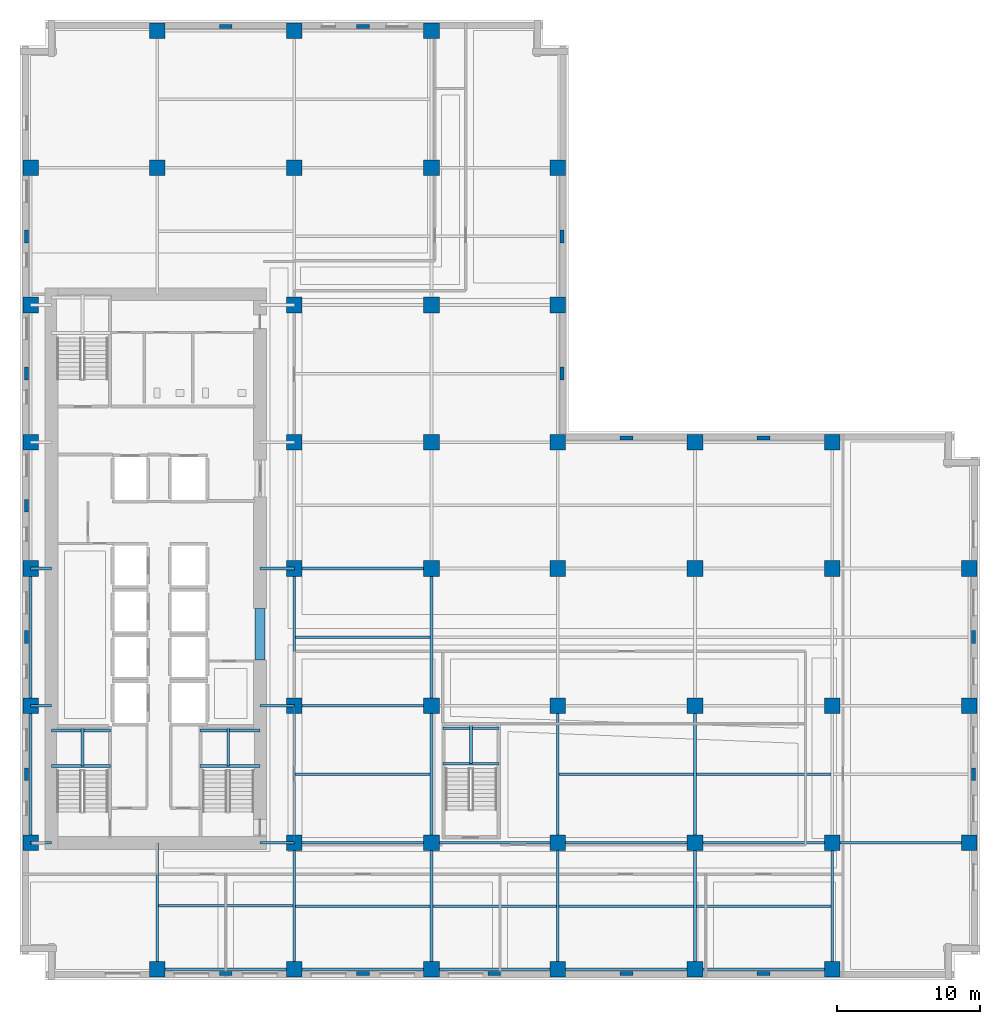
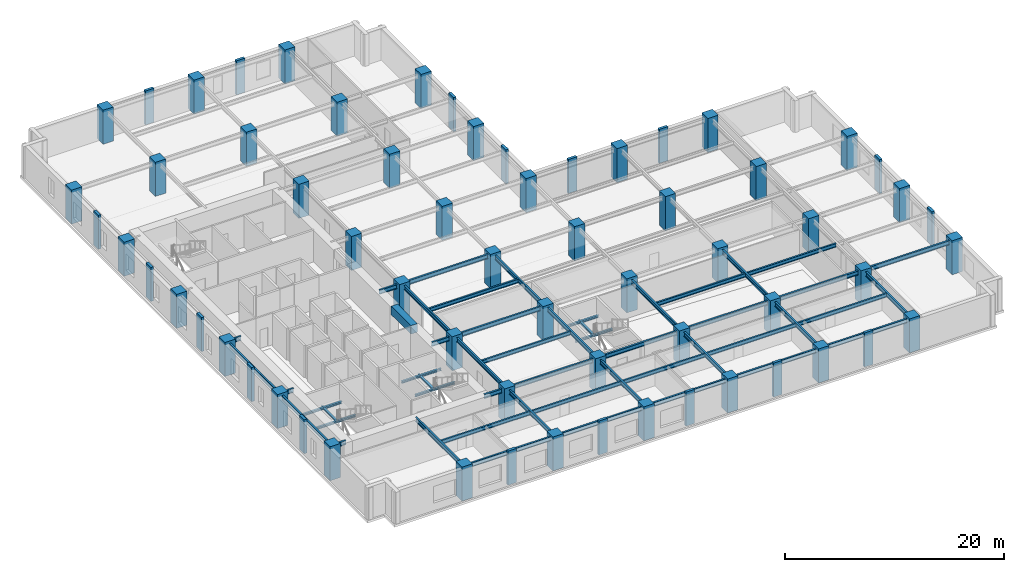
# One storey, part 1 of 13: 63 columns, 51 beams.
"""IFC4 building model written with IfcOpenShell, lengths in metres."""

from ifc_helpers import new_model, si_unit, direction, frame, origin, origin_2d, place, context, subcontext, project, spatial, rectangle, i_section, extrude, material, material_profile, profile_set, type_object, element, save


model = new_model("IFC4")

# Units and contexts
model_context = context("Model", 3, precision=1e-05, world=origin(), true_north=direction((0.0, 1.0)))
body_context = subcontext(model_context, "Body", "Model", "MODEL_VIEW")
ifc_project = project(units=[si_unit("LENGTHUNIT", "METRE"), si_unit("AREAUNIT", "SQUARE_METRE"), si_unit("VOLUMEUNIT", "CUBIC_METRE"), si_unit("PLANEANGLEUNIT", "RADIAN"), si_unit("MASSUNIT", "GRAM", prefix="KILO")], contexts=[model_context])

# Site, building, storey
site_placement = place(None, origin())
site = spatial("IfcSite", under=ifc_project, at=site_placement, CompositionType="ELEMENT")
building_placement = place(site_placement, origin())
building = spatial("IfcBuilding", under=site, at=building_placement, Name="Norrvale University Quadrangle", CompositionType="ELEMENT")
storey_placement = place(building_placement, frame((0.0, 0.0, 81.199951171875)))
storey = spatial("IfcBuildingStorey", under=building, at=storey_placement, Name="L20", CompositionType="ELEMENT", Elevation=81.199951171875)

# Columns
ifc_material_1 = material(Name="Buff Brick Concrete C60/75", Category="concrete")
ifc_material_profile_1 = material_profile(ifc_material_1, rectangle(XDim=0.89990234375, YDim=0.280029296875, at=origin_2d()), Name="Buff Brick Concrete C60/75")
ifc_profile_set_1 = profile_set([ifc_material_profile_1], Name="Buff Brick Concrete C60/75")
column_type_1 = type_object("IfcColumnType", Name="Column Buff Pier 900x280", PredefinedType="PILASTER", material=ifc_profile_set_1)
for number, where, z_axis, x_axis, name in (
    (1, (0.449951171875, 14.39990234375, 0.0), (0.0, 0.0, 1.0), (0.0, 1.0, 0.0), "Exterior Brick Facade Pilaster L20-01"),
    (2, (0.449951171875, 24.0, 0.0), (0.0, 0.0, 1.0), (0.0, 1.0, 0.0), "Exterior Brick Facade Pilaster L20-02"),
    (3, (0.449951171875, 33.199951171875, 0.0), (0.0, 0.0, 1.0), (0.0, 1.0, 0.0), "Exterior Brick Facade Pilaster L20-03"),
    (4, (0.449951171875, 42.449951171875, 0.0), (0.0, 0.0, 1.0), (0.0, 1.0, 0.0), "Exterior Brick Facade Pilaster L20-04"),
    (5, (0.449951171875, 52.050048828125, 0.0), (0.0, 0.0, 1.0), (0.0, 1.0, 0.0), "Exterior Brick Facade Pilaster L20-05"),
    (6, (14.39990234375, 0.449951171875, 0.0), (0.0, 0.0, 1.0), (1.0, 0.0, 0.0), "Exterior Brick Facade Pilaster L20-06"),
    (7, (24.0, 0.449951171875, 0.0), (0.0, 0.0, 1.0), (1.0, 0.0, 0.0), "Exterior Brick Facade Pilaster L20-07"),
    (8, (33.199951171875, 0.449951171875, 0.0), (0.0, 0.0, 1.0), (1.0, 0.0, 0.0), "Exterior Brick Facade Pilaster L20-08"),
    (9, (42.449951171875, 0.449951171875, 0.0), (0.0, 0.0, 1.0), (1.0, 0.0, 0.0), "Exterior Brick Facade Pilaster L20-09"),
    (10, (52.050048828125, 0.449951171875, 0.0), (0.0, 0.0, 1.0), (1.0, 0.0, 0.0), "Exterior Brick Facade Pilaster L20-10"),
    (11, (66.75, 14.39990234375, 0.0), (0.0, 0.0, 1.0), (0.0, 1.0, 0.0), "Exterior Brick Facade Pilaster L20-11"),
    (12, (66.75, 24.0, 0.0), (0.0, 0.0, 1.0), (0.0, 1.0, 0.0), "Exterior Brick Facade Pilaster L20-12"),
    (13, (14.39990234375, 66.75, 0.0), (0.0, 0.0, 1.0), (1.0, 0.0, 0.0), "Exterior Brick Facade Pilaster L20-13"),
    (14, (24.0, 66.75, 0.0), (0.0, 0.0, 1.0), (1.0, 0.0, 0.0), "Exterior Brick Facade Pilaster L20-14"),
    (15, (37.949951171875, 42.449951171875, 0.0), (0.0, 0.0, 1.0), (0.0, 1.0, 0.0), "Exterior Brick Facade Pilaster L20-15"),
    (16, (37.949951171875, 52.050048828125, 0.0), (0.0, 0.0, 1.0), (0.0, 1.0, 0.0), "Exterior Brick Facade Pilaster L20-16"),
    (17, (42.449951171875, 37.949951171875, 0.0), (0.0, 0.0, 1.0), (1.0, 0.0, 0.0), "Exterior Brick Facade Pilaster L20-17"),
    (18, (52.050048828125, 37.949951171875, 0.0), (0.0, 0.0, 1.0), (1.0, 0.0, 0.0), "Exterior Brick Facade Pilaster L20-18"),
):
    element("IfcColumn", number, at=place(storey_placement, frame(where, z_axis=z_axis, x_axis=x_axis)), inside=storey, type_object=column_type_1, Name=name, PredefinedType="PILASTER", context=body_context, shape_type="SweptSolid", body=[
        extrude(rectangle(XDim=0.89990234375, YDim=0.280029296875, at=origin_2d()), origin(), (0.0, 0.0, 1.0), 3.800048828125),
    ])
ifc_material_2 = material(Name="Concrete C80/95", Category="concrete")
ifc_material_profile_2 = material_profile(ifc_material_2, rectangle(XDim=1.10009765625, YDim=1.10009765625, at=origin_2d()), Name="Concrete C80/95")
ifc_profile_set_2 = profile_set([ifc_material_profile_2], Name="Concrete C80/95")
column_type_2 = type_object("IfcColumnType", Name="Column Tower Z1 1100x1100", PredefinedType="COLUMN", material=ifc_profile_set_2)
for number, where, z_axis, x_axis, name in (
    (19, (0.75, 9.60009765625, 0.0), (0.0, 0.0, 1.0), (1.0, 0.0, 0.0), "Tower Column L20-T01"),
    (20, (0.75, 19.199951171875, 0.0), (0.0, 0.0, 1.0), (1.0, 0.0, 0.0), "Tower Column L20-T02"),
    (21, (0.75, 28.800048828125, 0.0), (0.0, 0.0, 1.0), (1.0, 0.0, 0.0), "Tower Column L20-T03"),
    (22, (0.75, 37.64990234375, 0.0), (0.0, 0.0, 1.0), (1.0, 0.0, 0.0), "Tower Column L20-T04"),
    (23, (0.75, 47.25, 0.0), (0.0, 0.0, 1.0), (1.0, 0.0, 0.0), "Tower Column L20-T05"),
    (24, (0.75, 56.85009765625, 0.0), (0.0, 0.0, 1.0), (1.0, 0.0, 0.0), "Tower Column L20-T06"),
    (25, (9.60009765625, 0.75, 0.0), (0.0, 0.0, 1.0), (1.0, 0.0, 0.0), "Tower Column L20-T07"),
    (26, (9.60009765625, 56.85009765625, 0.0), (0.0, 0.0, 1.0), (1.0, 0.0, 0.0), "Tower Column L20-T08"),
    (27, (9.60009765625, 66.449951171875, 0.0), (0.0, 0.0, 1.0), (1.0, 0.0, 0.0), "Tower Column L20-T09"),
    (28, (19.199951171875, 0.75, 0.0), (0.0, 0.0, 1.0), (1.0, 0.0, 0.0), "Tower Column L20-T10"),
    (29, (19.199951171875, 9.60009765625, 0.0), (0.0, 0.0, 1.0), (1.0, 0.0, 0.0), "Tower Column L20-T11"),
    (30, (19.199951171875, 19.199951171875, 0.0), (0.0, 0.0, 1.0), (1.0, 0.0, 0.0), "Tower Column L20-T12"),
    (31, (19.199951171875, 28.800048828125, 0.0), (0.0, 0.0, 1.0), (1.0, 0.0, 0.0), "Tower Column L20-T13"),
    (32, (19.199951171875, 37.64990234375, 0.0), (0.0, 0.0, 1.0), (1.0, 0.0, 0.0), "Tower Column L20-T14"),
    (33, (19.199951171875, 47.25, 0.0), (0.0, 0.0, 1.0), (1.0, 0.0, 0.0), "Tower Column L20-T15"),
    (34, (19.199951171875, 56.85009765625, 0.0), (0.0, 0.0, 1.0), (1.0, 0.0, 0.0), "Tower Column L20-T16"),
    (35, (19.199951171875, 66.449951171875, 0.0), (0.0, 0.0, 1.0), (1.0, 0.0, 0.0), "Tower Column L20-T17"),
    (36, (28.800048828125, 0.75, 0.0), (0.0, 0.0, 1.0), (1.0, 0.0, 0.0), "Tower Column L20-T18"),
    (37, (28.800048828125, 9.60009765625, 0.0), (0.0, 0.0, 1.0), (1.0, 0.0, 0.0), "Tower Column L20-T19"),
    (38, (28.800048828125, 19.199951171875, 0.0), (0.0, 0.0, 1.0), (1.0, 0.0, 0.0), "Tower Column L20-T20"),
    (39, (28.800048828125, 28.800048828125, 0.0), (0.0, 0.0, 1.0), (1.0, 0.0, 0.0), "Tower Column L20-T21"),
    (40, (28.800048828125, 37.64990234375, 0.0), (0.0, 0.0, 1.0), (1.0, 0.0, 0.0), "Tower Column L20-T22"),
    (41, (28.800048828125, 47.25, 0.0), (0.0, 0.0, 1.0), (1.0, 0.0, 0.0), "Tower Column L20-T23"),
    (42, (28.800048828125, 56.85009765625, 0.0), (0.0, 0.0, 1.0), (1.0, 0.0, 0.0), "Tower Column L20-T24"),
    (43, (28.800048828125, 66.449951171875, 0.0), (0.0, 0.0, 1.0), (1.0, 0.0, 0.0), "Tower Column L20-T25"),
    (44, (37.64990234375, 0.75, 0.0), (0.0, 0.0, 1.0), (1.0, 0.0, 0.0), "Tower Column L20-T26"),
    (45, (37.64990234375, 9.60009765625, 0.0), (0.0, 0.0, 1.0), (1.0, 0.0, 0.0), "Tower Column L20-T27"),
    (46, (37.64990234375, 19.199951171875, 0.0), (0.0, 0.0, 1.0), (1.0, 0.0, 0.0), "Tower Column L20-T28"),
    (47, (37.64990234375, 28.800048828125, 0.0), (0.0, 0.0, 1.0), (1.0, 0.0, 0.0), "Tower Column L20-T29"),
    (48, (37.64990234375, 37.64990234375, 0.0), (0.0, 0.0, 1.0), (1.0, 0.0, 0.0), "Tower Column L20-T30"),
    (49, (37.64990234375, 47.25, 0.0), (0.0, 0.0, 1.0), (1.0, 0.0, 0.0), "Tower Column L20-T31"),
    (50, (37.64990234375, 56.85009765625, 0.0), (0.0, 0.0, 1.0), (1.0, 0.0, 0.0), "Tower Column L20-T32"),
    (51, (47.25, 0.75, 0.0), (0.0, 0.0, 1.0), (1.0, 0.0, 0.0), "Tower Column L20-T33"),
    (52, (47.25, 9.60009765625, 0.0), (0.0, 0.0, 1.0), (1.0, 0.0, 0.0), "Tower Column L20-T34"),
    (53, (47.25, 19.199951171875, 0.0), (0.0, 0.0, 1.0), (1.0, 0.0, 0.0), "Tower Column L20-T35"),
    (54, (47.25, 28.800048828125, 0.0), (0.0, 0.0, 1.0), (1.0, 0.0, 0.0), "Tower Column L20-T36"),
    (55, (47.25, 37.64990234375, 0.0), (0.0, 0.0, 1.0), (1.0, 0.0, 0.0), "Tower Column L20-T37"),
    (56, (56.85009765625, 0.75, 0.0), (0.0, 0.0, 1.0), (1.0, 0.0, 0.0), "Tower Column L20-T38"),
    (57, (56.85009765625, 9.60009765625, 0.0), (0.0, 0.0, 1.0), (1.0, 0.0, 0.0), "Tower Column L20-T39"),
    (58, (56.85009765625, 19.199951171875, 0.0), (0.0, 0.0, 1.0), (1.0, 0.0, 0.0), "Tower Column L20-T40"),
    (59, (56.85009765625, 28.800048828125, 0.0), (0.0, 0.0, 1.0), (1.0, 0.0, 0.0), "Tower Column L20-T41"),
    (60, (56.85009765625, 37.64990234375, 0.0), (0.0, 0.0, 1.0), (1.0, 0.0, 0.0), "Tower Column L20-T42"),
    (61, (66.449951171875, 9.60009765625, 0.0), (0.0, 0.0, 1.0), (1.0, 0.0, 0.0), "Tower Column L20-T43"),
    (62, (66.449951171875, 19.199951171875, 0.0), (0.0, 0.0, 1.0), (1.0, 0.0, 0.0), "Tower Column L20-T44"),
    (63, (66.449951171875, 28.800048828125, 0.0), (0.0, 0.0, 1.0), (1.0, 0.0, 0.0), "Tower Column L20-T45"),
):
    element("IfcColumn", number, at=place(storey_placement, frame(where, z_axis=z_axis, x_axis=x_axis)), inside=storey, type_object=column_type_2, Name=name, PredefinedType="COLUMN", context=body_context, shape_type="SweptSolid", body=[
        extrude(rectangle(XDim=1.10009765625, YDim=1.10009765625, at=origin_2d()), origin(), (0.0, 0.0, 1.0), 3.800048828125),
    ])

# Beams
ifc_material_3 = material(Name="Steel 350W", Category="steel")
ifc_material_profile_3 = material_profile(ifc_material_3, i_section(OverallWidth=0.180908203125, OverallDepth=0.4169921875, WebThickness=0.010986328125, FlangeThickness=0.018310546875, FilletRadius=0.011962890625, at=origin_2d()), Name="Steel 350W")
ifc_profile_set_3 = profile_set([ifc_material_profile_3], Name="Steel 350W")
beam_type_1 = type_object("IfcBeamType", Name="Beam Atrium W410x85", PredefinedType="BEAM", material=ifc_profile_set_3)
for number, where, z_axis, x_axis, name in (
    (64, (19.297119140625, 5.175048828125, 3.33154296875), (1.0, 0.0, 0.0), (0.0, 1.0, 0.0), "Beam Atrium W410x85 BM-L20-J080"),
    (65, (19.297119140625, 14.39990234375, 3.33154296875), (1.0, 0.0, 0.0), (0.0, 1.0, 0.0), "Beam Atrium W410x85 BM-L20-J081"),
    (66, (19.297119140625, 24.0, 3.33154296875), (1.0, 0.0, 0.0), (0.0, 1.0, 0.0), "Beam Atrium W410x85 BM-L20-J082"),
):
    element("IfcBeam", number, at=place(storey_placement, frame(where, z_axis=z_axis, x_axis=x_axis)), inside=storey, type_object=beam_type_1, Name=name, PredefinedType="BEAM", context=body_context, shape_type="SweptSolid", body=[
        extrude(i_section(OverallWidth=0.180908203125, OverallDepth=0.4169921875, WebThickness=0.010986328125, FlangeThickness=0.018310546875, FilletRadius=0.011962890625, at=origin_2d()), origin(), (0.0, 0.0, 1.0), 9.40576171875),
    ])
beam_1_placement = place(storey_placement, frame((28.89697265625, 5.175048828125, 3.33154296875), z_axis=(1.0, 0.0, 0.0), x_axis=(0.0, 1.0, 0.0)))
element("IfcBeam", 67, at=beam_1_placement, inside=storey, type_object=beam_type_1, Name="Beam Atrium W410x85 BM-L20-J087", PredefinedType="BEAM", context=body_context, shape_type="SweptSolid", body=[
    extrude(i_section(OverallWidth=0.180908203125, OverallDepth=0.4169921875, WebThickness=0.010986328125, FlangeThickness=0.018310546875, FilletRadius=0.011962890625, at=origin_2d()), origin(), (0.0, 0.0, 1.0), 8.656005859375),
])
for number, where, z_axis, x_axis, name in (
    (68, (37.7470703125, 5.175048828125, 3.33154296875), (1.0, 0.0, 0.0), (0.0, 1.0, 0.0), "Beam Atrium W410x85 BM-L20-J092"),
    (69, (37.7470703125, 14.39990234375, 3.33154296875), (1.0, 0.0, 0.0), (0.0, 1.0, 0.0), "Beam Atrium W410x85 BM-L20-J093"),
    (70, (47.346923828125, 5.175048828125, 3.33154296875), (1.0, 0.0, 0.0), (0.0, 1.0, 0.0), "Beam Atrium W410x85 BM-L20-J096"),
    (71, (47.346923828125, 14.39990234375, 3.33154296875), (1.0, 0.0, 0.0), (0.0, 1.0, 0.0), "Beam Atrium W410x85 BM-L20-J097"),
    (72, (9.697021484375, 5.199951171875, 3.33154296875), (1.0, 0.0, 0.0), (0.0, 1.0, 0.0), "Beam Atrium W410x85 BM-L20-JCS103"),
):
    element("IfcBeam", number, at=place(storey_placement, frame(where, z_axis=z_axis, x_axis=x_axis)), inside=storey, type_object=beam_type_1, Name=name, PredefinedType="BEAM", context=body_context, shape_type="SweptSolid", body=[
        extrude(i_section(OverallWidth=0.180908203125, OverallDepth=0.4169921875, WebThickness=0.010986328125, FlangeThickness=0.018310546875, FilletRadius=0.011962890625, at=origin_2d()), origin(), (0.0, 0.0, 1.0), 9.406005859375),
    ])
ifc_material_profile_4 = material_profile(ifc_material_2, rectangle(XDim=0.699951171875, YDim=0.949951171875, at=origin_2d()), Name="Concrete C80/95")
ifc_profile_set_4 = profile_set([ifc_material_profile_4], Name="Concrete C80/95")
beam_type_2 = type_object("IfcBeamType", Name="Beam Core Link 700x950", PredefinedType="LINTEL", material=ifc_profile_set_4)
beam_2_placement = place(storey_placement, frame((16.800048828125, 22.39990234375, 3.06494140625), z_axis=(0.0, 1.0, 0.0), x_axis=(-1.0, 0.0, 0.0)))
element("IfcBeam", 73, at=beam_2_placement, inside=storey, type_object=beam_type_2, Name="Core Coupling Lintel Beam L20-1", PredefinedType="LINTEL", context=body_context, shape_type="SweptSolid", body=[
    extrude(rectangle(XDim=0.699951171875, YDim=0.949951171875, at=origin_2d()), origin(), (0.0, 0.0, 1.0), 3.60009765625),
])
ifc_material_profile_5 = material_profile(ifc_material_3, i_section(OverallWidth=0.194091796875, OverallDepth=0.468994140625, WebThickness=0.0126953125, FlangeThickness=0.0205078125, FilletRadius=0.012939453125, at=origin_2d()), Name="Steel 350W")
ifc_profile_set_5 = profile_set([ifc_material_profile_5], Name="Steel 350W")
beam_type_3 = type_object("IfcBeamType", Name="Beam Floor W460x106", PredefinedType="BEAM", material=ifc_profile_set_5)
beam_3_placement = place(storey_placement, frame((9.60009765625, 0.75, 3.3056640625), z_axis=(1.0, 0.0, 0.0), x_axis=(0.0, 1.0, 0.0)))
element("IfcBeam", 74, at=beam_3_placement, inside=storey, type_object=beam_type_3, Name="Beam Floor W460x106 BM-L20-GX001", PredefinedType="BEAM", context=body_context, shape_type="SweptSolid", body=[
    extrude(i_section(OverallWidth=0.194091796875, OverallDepth=0.468994140625, WebThickness=0.0126953125, FlangeThickness=0.0205078125, FilletRadius=0.012939453125, at=origin_2d()), origin(), (0.0, 0.0, 1.0), 9.599853515625),
])
beam_4_placement = place(storey_placement, frame((19.199951171875, 0.75, 3.3056640625), z_axis=(1.0, 0.0, 0.0), x_axis=(0.0, 1.0, 0.0)))
element("IfcBeam", 75, at=beam_4_placement, inside=storey, type_object=beam_type_3, Name="Beam Floor W460x106 BM-L20-GX002", PredefinedType="BEAM", context=body_context, shape_type="SweptSolid", body=[
    extrude(i_section(OverallWidth=0.194091796875, OverallDepth=0.468994140625, WebThickness=0.0126953125, FlangeThickness=0.0205078125, FilletRadius=0.012939453125, at=origin_2d()), origin(), (0.0, 0.0, 1.0), 9.60009765625),
])
beam_5_placement = place(storey_placement, frame((28.800048828125, 0.75, 3.3056640625), z_axis=(1.0, 0.0, 0.0), x_axis=(0.0, 1.0, 0.0)))
element("IfcBeam", 76, at=beam_5_placement, inside=storey, type_object=beam_type_3, Name="Beam Floor W460x106 BM-L20-GX003", PredefinedType="BEAM", context=body_context, shape_type="SweptSolid", body=[
    extrude(i_section(OverallWidth=0.194091796875, OverallDepth=0.468994140625, WebThickness=0.0126953125, FlangeThickness=0.0205078125, FilletRadius=0.012939453125, at=origin_2d()), origin(), (0.0, 0.0, 1.0), 8.849853515625),
])
for number, where, z_axis, x_axis, name in (
    (77, (37.64990234375, 0.75, 3.3056640625), (1.0, 0.0, 0.0), (0.0, 1.0, 0.0), "Beam Floor W460x106 BM-L20-GX004"),
    (78, (47.25, 0.75, 3.3056640625), (1.0, 0.0, 0.0), (0.0, 1.0, 0.0), "Beam Floor W460x106 BM-L20-GX005"),
    (79, (19.199951171875, 9.60009765625, 3.3056640625), (1.0, 0.0, 0.0), (0.0, 1.0, 0.0), "Beam Floor W460x106 BM-L20-GX006"),
):
    element("IfcBeam", number, at=place(storey_placement, frame(where, z_axis=z_axis, x_axis=x_axis)), inside=storey, type_object=beam_type_3, Name=name, PredefinedType="BEAM", context=body_context, shape_type="SweptSolid", body=[
        extrude(i_section(OverallWidth=0.194091796875, OverallDepth=0.468994140625, WebThickness=0.0126953125, FlangeThickness=0.0205078125, FilletRadius=0.012939453125, at=origin_2d()), origin(), (0.0, 0.0, 1.0), 9.60009765625),
    ])
beam_6_placement = place(storey_placement, frame((28.800048828125, 9.60009765625, 3.3056640625), z_axis=(1.0, 0.0, 0.0), x_axis=(0.0, 1.0, 0.0)))
element("IfcBeam", 80, at=beam_6_placement, inside=storey, type_object=beam_type_3, Name="Beam Floor W460x106 BM-L20-GX007", PredefinedType="BEAM", context=body_context, shape_type="SweptSolid", body=[
    extrude(i_section(OverallWidth=0.194091796875, OverallDepth=0.468994140625, WebThickness=0.0126953125, FlangeThickness=0.0205078125, FilletRadius=0.012939453125, at=origin_2d()), origin(), (0.0, 0.0, 1.0), 8.849853515625),
])
for number, where, z_axis, x_axis, name in (
    (81, (37.64990234375, 9.60009765625, 3.3056640625), (1.0, 0.0, 0.0), (0.0, 1.0, 0.0), "Beam Floor W460x106 BM-L20-GX008"),
    (82, (47.25, 9.60009765625, 3.3056640625), (1.0, 0.0, 0.0), (0.0, 1.0, 0.0), "Beam Floor W460x106 BM-L20-GX009"),
):
    element("IfcBeam", number, at=place(storey_placement, frame(where, z_axis=z_axis, x_axis=x_axis)), inside=storey, type_object=beam_type_3, Name=name, PredefinedType="BEAM", context=body_context, shape_type="SweptSolid", body=[
        extrude(i_section(OverallWidth=0.194091796875, OverallDepth=0.468994140625, WebThickness=0.0126953125, FlangeThickness=0.0205078125, FilletRadius=0.012939453125, at=origin_2d()), origin(), (0.0, 0.0, 1.0), 9.60009765625),
    ])
beam_7_placement = place(storey_placement, frame((56.85009765625, 9.60009765625, 3.3056640625), z_axis=(1.0, 0.0, 0.0), x_axis=(0.0, 1.0, 0.0)))
element("IfcBeam", 83, at=beam_7_placement, inside=storey, type_object=beam_type_3, Name="Beam Floor W460x106 BM-L20-GX010", PredefinedType="BEAM", context=body_context, shape_type="SweptSolid", body=[
    extrude(i_section(OverallWidth=0.194091796875, OverallDepth=0.468994140625, WebThickness=0.0126953125, FlangeThickness=0.0205078125, FilletRadius=0.012939453125, at=origin_2d()), origin(), (0.0, 0.0, 1.0), 9.599853515625),
])
for number, where, z_axis, x_axis, name in (
    (84, (19.199951171875, 19.199951171875, 3.3056640625), (1.0, 0.0, 0.0), (0.0, 1.0, 0.0), "Beam Floor W460x106 BM-L20-GX011"),
    (85, (19.199951171875, 28.800048828125, 3.3056640625), (1.0, 0.0, 0.0), (0.0, 1.0, 0.0), "Beam Floor W460x106 BM-L20-GX016"),
):
    element("IfcBeam", number, at=place(storey_placement, frame(where, z_axis=z_axis, x_axis=x_axis)), inside=storey, type_object=beam_type_3, Name=name, PredefinedType="BEAM", context=body_context, shape_type="SweptSolid", body=[
        extrude(i_section(OverallWidth=0.194091796875, OverallDepth=0.468994140625, WebThickness=0.0126953125, FlangeThickness=0.0205078125, FilletRadius=0.012939453125, at=origin_2d()), origin(), (0.0, 0.0, 1.0), 9.60009765625),
    ])
beam_8_placement = place(storey_placement, frame((0.75, 9.60009765625, 3.3056640625), z_axis=(0.0, 1.0, 0.0), x_axis=(-1.0, 0.0, 0.0)))
element("IfcBeam", 86, at=beam_8_placement, inside=storey, type_object=beam_type_3, Name="Beam Floor W460x106 BM-L20-GY033", PredefinedType="BEAM", context=body_context, shape_type="SweptSolid", body=[
    extrude(i_section(OverallWidth=0.194091796875, OverallDepth=0.468994140625, WebThickness=0.0126953125, FlangeThickness=0.0205078125, FilletRadius=0.012939453125, at=origin_2d()), origin(), (0.0, 0.0, 1.0), 9.599853515625),
])
beam_9_placement = place(storey_placement, frame((0.75, 19.199951171875, 3.3056640625), z_axis=(0.0, 1.0, 0.0), x_axis=(-1.0, 0.0, 0.0)))
element("IfcBeam", 87, at=beam_9_placement, inside=storey, type_object=beam_type_3, Name="Beam Floor W460x106 BM-L20-GY034", PredefinedType="BEAM", context=body_context, shape_type="SweptSolid", body=[
    extrude(i_section(OverallWidth=0.194091796875, OverallDepth=0.468994140625, WebThickness=0.0126953125, FlangeThickness=0.0205078125, FilletRadius=0.012939453125, at=origin_2d()), origin(), (0.0, 0.0, 1.0), 9.60009765625),
])
beam_10_placement = place(storey_placement, frame((19.199951171875, 0.75, 3.3056640625), z_axis=(0.0, 1.0, 0.0), x_axis=(-1.0, 0.0, 0.0)))
element("IfcBeam", 88, at=beam_10_placement, inside=storey, type_object=beam_type_3, Name="Beam Floor W460x106 BM-L20-GY039", PredefinedType="BEAM", context=body_context, shape_type="SweptSolid", body=[
    extrude(i_section(OverallWidth=0.194091796875, OverallDepth=0.468994140625, WebThickness=0.0126953125, FlangeThickness=0.0205078125, FilletRadius=0.012939453125, at=origin_2d()), origin(), (0.0, 0.0, 1.0), 8.85009765625),
])
beam_11_placement = place(storey_placement, frame((19.199951171875, 9.60009765625, 3.3056640625), z_axis=(0.0, 1.0, 0.0), x_axis=(-1.0, 0.0, 0.0)))
element("IfcBeam", 89, at=beam_11_placement, inside=storey, type_object=beam_type_3, Name="Beam Floor W460x106 BM-L20-GY040", PredefinedType="BEAM", context=body_context, shape_type="SweptSolid", body=[
    extrude(i_section(OverallWidth=0.194091796875, OverallDepth=0.468994140625, WebThickness=0.0126953125, FlangeThickness=0.0205078125, FilletRadius=0.012939453125, at=origin_2d()), origin(), (0.0, 0.0, 1.0), 9.599853515625),
])
beam_12_placement = place(storey_placement, frame((19.199951171875, 19.199951171875, 3.3056640625), z_axis=(0.0, 1.0, 0.0), x_axis=(-1.0, 0.0, 0.0)))
element("IfcBeam", 90, at=beam_12_placement, inside=storey, type_object=beam_type_3, Name="Beam Floor W460x106 BM-L20-GY041", PredefinedType="BEAM", context=body_context, shape_type="SweptSolid", body=[
    extrude(i_section(OverallWidth=0.194091796875, OverallDepth=0.468994140625, WebThickness=0.0126953125, FlangeThickness=0.0205078125, FilletRadius=0.012939453125, at=origin_2d()), origin(), (0.0, 0.0, 1.0), 9.60009765625),
])
beam_13_placement = place(storey_placement, frame((28.800048828125, 0.75, 3.3056640625), z_axis=(0.0, 1.0, 0.0), x_axis=(-1.0, 0.0, 0.0)))
element("IfcBeam", 91, at=beam_13_placement, inside=storey, type_object=beam_type_3, Name="Beam Floor W460x106 BM-L20-GY046", PredefinedType="BEAM", context=body_context, shape_type="SweptSolid", body=[
    extrude(i_section(OverallWidth=0.194091796875, OverallDepth=0.468994140625, WebThickness=0.0126953125, FlangeThickness=0.0205078125, FilletRadius=0.012939453125, at=origin_2d()), origin(), (0.0, 0.0, 1.0), 8.85009765625),
])
beam_14_placement = place(storey_placement, frame((28.800048828125, 9.60009765625, 3.3056640625), z_axis=(0.0, 1.0, 0.0), x_axis=(-1.0, 0.0, 0.0)))
element("IfcBeam", 92, at=beam_14_placement, inside=storey, type_object=beam_type_3, Name="Beam Floor W460x106 BM-L20-GY047", PredefinedType="BEAM", context=body_context, shape_type="SweptSolid", body=[
    extrude(i_section(OverallWidth=0.194091796875, OverallDepth=0.468994140625, WebThickness=0.0126953125, FlangeThickness=0.0205078125, FilletRadius=0.012939453125, at=origin_2d()), origin(), (0.0, 0.0, 1.0), 9.599853515625),
])
beam_15_placement = place(storey_placement, frame((28.800048828125, 19.199951171875, 3.3056640625), z_axis=(0.0, 1.0, 0.0), x_axis=(-1.0, 0.0, 0.0)))
element("IfcBeam", 93, at=beam_15_placement, inside=storey, type_object=beam_type_3, Name="Beam Floor W460x106 BM-L20-GY048", PredefinedType="BEAM", context=body_context, shape_type="SweptSolid", body=[
    extrude(i_section(OverallWidth=0.194091796875, OverallDepth=0.468994140625, WebThickness=0.0126953125, FlangeThickness=0.0205078125, FilletRadius=0.012939453125, at=origin_2d()), origin(), (0.0, 0.0, 1.0), 9.60009765625),
])
beam_16_placement = place(storey_placement, frame((37.64990234375, 0.75, 3.3056640625), z_axis=(0.0, 1.0, 0.0), x_axis=(-1.0, 0.0, 0.0)))
element("IfcBeam", 94, at=beam_16_placement, inside=storey, type_object=beam_type_3, Name="Beam Floor W460x106 BM-L20-GY053", PredefinedType="BEAM", context=body_context, shape_type="SweptSolid", body=[
    extrude(i_section(OverallWidth=0.194091796875, OverallDepth=0.468994140625, WebThickness=0.0126953125, FlangeThickness=0.0205078125, FilletRadius=0.012939453125, at=origin_2d()), origin(), (0.0, 0.0, 1.0), 8.85009765625),
])
beam_17_placement = place(storey_placement, frame((37.64990234375, 9.60009765625, 3.3056640625), z_axis=(0.0, 1.0, 0.0), x_axis=(-1.0, 0.0, 0.0)))
element("IfcBeam", 95, at=beam_17_placement, inside=storey, type_object=beam_type_3, Name="Beam Floor W460x106 BM-L20-GY054", PredefinedType="BEAM", context=body_context, shape_type="SweptSolid", body=[
    extrude(i_section(OverallWidth=0.194091796875, OverallDepth=0.468994140625, WebThickness=0.0126953125, FlangeThickness=0.0205078125, FilletRadius=0.012939453125, at=origin_2d()), origin(), (0.0, 0.0, 1.0), 9.599853515625),
])
beam_18_placement = place(storey_placement, frame((47.25, 0.75, 3.3056640625), z_axis=(0.0, 1.0, 0.0), x_axis=(-1.0, 0.0, 0.0)))
element("IfcBeam", 96, at=beam_18_placement, inside=storey, type_object=beam_type_3, Name="Beam Floor W460x106 BM-L20-GY059", PredefinedType="BEAM", context=body_context, shape_type="SweptSolid", body=[
    extrude(i_section(OverallWidth=0.194091796875, OverallDepth=0.468994140625, WebThickness=0.0126953125, FlangeThickness=0.0205078125, FilletRadius=0.012939453125, at=origin_2d()), origin(), (0.0, 0.0, 1.0), 8.85009765625),
])
beam_19_placement = place(storey_placement, frame((47.25, 9.60009765625, 3.3056640625), z_axis=(0.0, 1.0, 0.0), x_axis=(-1.0, 0.0, 0.0)))
element("IfcBeam", 97, at=beam_19_placement, inside=storey, type_object=beam_type_3, Name="Beam Floor W460x106 BM-L20-GY060", PredefinedType="BEAM", context=body_context, shape_type="SweptSolid", body=[
    extrude(i_section(OverallWidth=0.194091796875, OverallDepth=0.468994140625, WebThickness=0.0126953125, FlangeThickness=0.0205078125, FilletRadius=0.012939453125, at=origin_2d()), origin(), (0.0, 0.0, 1.0), 9.599853515625),
])
beam_20_placement = place(storey_placement, frame((56.85009765625, 0.75, 3.3056640625), z_axis=(0.0, 1.0, 0.0), x_axis=(-1.0, 0.0, 0.0)))
element("IfcBeam", 98, at=beam_20_placement, inside=storey, type_object=beam_type_3, Name="Beam Floor W460x106 BM-L20-GY063", PredefinedType="BEAM", context=body_context, shape_type="SweptSolid", body=[
    extrude(i_section(OverallWidth=0.194091796875, OverallDepth=0.468994140625, WebThickness=0.0126953125, FlangeThickness=0.0205078125, FilletRadius=0.012939453125, at=origin_2d()), origin(), (0.0, 0.0, 1.0), 8.85009765625),
])
beam_21_placement = place(storey_placement, frame((0.75, 9.60009765625, 3.3056640625), z_axis=(1.0, 0.0, 0.0), x_axis=(0.0, 1.0, 0.0)))
element("IfcBeam", 99, at=beam_21_placement, inside=storey, type_object=beam_type_3, Name="Beam Floor W460x106 BM-L20-GCW069", PredefinedType="BEAM", context=body_context, shape_type="SweptSolid", body=[
    extrude(i_section(OverallWidth=0.194091796875, OverallDepth=0.468994140625, WebThickness=0.0126953125, FlangeThickness=0.0205078125, FilletRadius=0.012939453125, at=origin_2d()), origin(), (0.0, 0.0, 1.0), 1.449951171875),
])
beam_22_placement = place(storey_placement, frame((16.800048828125, 9.60009765625, 3.3056640625), z_axis=(1.0, 0.0, 0.0), x_axis=(0.0, 1.0, 0.0)))
element("IfcBeam", 100, at=beam_22_placement, inside=storey, type_object=beam_type_3, Name="Beam Floor W460x106 BM-L20-GCE070", PredefinedType="BEAM", context=body_context, shape_type="SweptSolid", body=[
    extrude(i_section(OverallWidth=0.194091796875, OverallDepth=0.468994140625, WebThickness=0.0126953125, FlangeThickness=0.0205078125, FilletRadius=0.012939453125, at=origin_2d()), origin(), (0.0, 0.0, 1.0), 2.39990234375),
])
beam_23_placement = place(storey_placement, frame((0.75, 19.199951171875, 3.3056640625), z_axis=(1.0, 0.0, 0.0), x_axis=(0.0, 1.0, 0.0)))
element("IfcBeam", 101, at=beam_23_placement, inside=storey, type_object=beam_type_3, Name="Beam Floor W460x106 BM-L20-GCW071", PredefinedType="BEAM", context=body_context, shape_type="SweptSolid", body=[
    extrude(i_section(OverallWidth=0.194091796875, OverallDepth=0.468994140625, WebThickness=0.0126953125, FlangeThickness=0.0205078125, FilletRadius=0.012939453125, at=origin_2d()), origin(), (0.0, 0.0, 1.0), 1.449951171875),
])
beam_24_placement = place(storey_placement, frame((16.800048828125, 19.199951171875, 3.3056640625), z_axis=(1.0, 0.0, 0.0), x_axis=(0.0, 1.0, 0.0)))
element("IfcBeam", 102, at=beam_24_placement, inside=storey, type_object=beam_type_3, Name="Beam Floor W460x106 BM-L20-GCE072", PredefinedType="BEAM", context=body_context, shape_type="SweptSolid", body=[
    extrude(i_section(OverallWidth=0.194091796875, OverallDepth=0.468994140625, WebThickness=0.0126953125, FlangeThickness=0.0205078125, FilletRadius=0.012939453125, at=origin_2d()), origin(), (0.0, 0.0, 1.0), 2.39990234375),
])
beam_25_placement = place(storey_placement, frame((0.75, 28.800048828125, 3.3056640625), z_axis=(1.0, 0.0, 0.0), x_axis=(0.0, 1.0, 0.0)))
element("IfcBeam", 103, at=beam_25_placement, inside=storey, type_object=beam_type_3, Name="Beam Floor W460x106 BM-L20-GCW073", PredefinedType="BEAM", context=body_context, shape_type="SweptSolid", body=[
    extrude(i_section(OverallWidth=0.194091796875, OverallDepth=0.468994140625, WebThickness=0.0126953125, FlangeThickness=0.0205078125, FilletRadius=0.012939453125, at=origin_2d()), origin(), (0.0, 0.0, 1.0), 1.449951171875),
])
beam_26_placement = place(storey_placement, frame((16.800048828125, 28.800048828125, 3.3056640625), z_axis=(1.0, 0.0, 0.0), x_axis=(0.0, 1.0, 0.0)))
element("IfcBeam", 104, at=beam_26_placement, inside=storey, type_object=beam_type_3, Name="Beam Floor W460x106 BM-L20-GCE074", PredefinedType="BEAM", context=body_context, shape_type="SweptSolid", body=[
    extrude(i_section(OverallWidth=0.194091796875, OverallDepth=0.468994140625, WebThickness=0.0126953125, FlangeThickness=0.0205078125, FilletRadius=0.012939453125, at=origin_2d()), origin(), (0.0, 0.0, 1.0), 2.39990234375),
])
beam_27_placement = place(storey_placement, frame((9.60009765625, 0.75, 3.3056640625), z_axis=(0.0, 1.0, 0.0), x_axis=(-1.0, 0.0, 0.0)))
element("IfcBeam", 105, at=beam_27_placement, inside=storey, type_object=beam_type_3, Name="Beam Floor W460x106 BM-L20-GCS102", PredefinedType="BEAM", context=body_context, shape_type="SweptSolid", body=[
    extrude(i_section(OverallWidth=0.194091796875, OverallDepth=0.468994140625, WebThickness=0.0126953125, FlangeThickness=0.0205078125, FilletRadius=0.012939453125, at=origin_2d()), origin(), (0.0, 0.0, 1.0), 8.85009765625),
])
ifc_material_profile_6 = material_profile(ifc_material_3, i_section(OverallWidth=0.201904296875, OverallDepth=0.2470703125, WebThickness=0.00732421875, FlangeThickness=0.010986328125, FilletRadius=0.011962890625, at=origin_2d()), Name="Steel 350W")
ifc_profile_set_6 = profile_set([ifc_material_profile_6], Name="Steel 350W")
beam_type_4 = type_object("IfcBeamType", Name="Beam Stair W250x49", PredefinedType="BEAM", material=ifc_profile_set_6)
for number, where, z_axis, x_axis, name in (
    (106, (2.199951171875, 14.989990234375, 1.57666015625), (1.0, 0.0, 0.0), (0.0, 1.0, 0.0), "Stair Mid-Landing Front Beam ST-01 L20"),
    (107, (2.199951171875, 17.469970703125, 1.57666015625), (1.0, 0.0, 0.0), (0.0, 1.0, 0.0), "Stair Mid-Landing Rear Beam ST-01 L20"),
):
    element("IfcBeam", number, at=place(storey_placement, frame(where, z_axis=z_axis, x_axis=x_axis)), inside=storey, type_object=beam_type_4, Name=name, PredefinedType="BEAM", context=body_context, shape_type="SweptSolid", body=[
        extrude(i_section(OverallWidth=0.201904296875, OverallDepth=0.2470703125, WebThickness=0.00732421875, FlangeThickness=0.010986328125, FilletRadius=0.011962890625, at=origin_2d()), origin(), (0.0, 0.0, 1.0), 4.14013671875),
    ])
for number, where, z_axis, x_axis, name in (
    (108, (12.610107421875, 14.989990234375, 1.57666015625), (1.0, 0.0, 0.0), (0.0, 1.0, 0.0), "Stair Mid-Landing Front Beam ST-03 L20"),
    (109, (12.610107421875, 17.469970703125, 1.57666015625), (1.0, 0.0, 0.0), (0.0, 1.0, 0.0), "Stair Mid-Landing Rear Beam ST-03 L20"),
):
    element("IfcBeam", number, at=place(storey_placement, frame(where, z_axis=z_axis, x_axis=x_axis)), inside=storey, type_object=beam_type_4, Name=name, PredefinedType="BEAM", context=body_context, shape_type="SweptSolid", body=[
        extrude(i_section(OverallWidth=0.201904296875, OverallDepth=0.2470703125, WebThickness=0.00732421875, FlangeThickness=0.010986328125, FilletRadius=0.011962890625, at=origin_2d()), origin(), (0.0, 0.0, 1.0), 4.18994140625),
    ])
for number, where, z_axis, x_axis, name in (
    (110, (29.610107421875, 15.139892578125, 1.57666015625), (1.0, 0.0, 0.0), (0.0, 1.0, 0.0), "Stair Mid-Landing Front Beam ST-04 L20"),
    (111, (29.610107421875, 17.6201171875, 1.57666015625), (1.0, 0.0, 0.0), (0.0, 1.0, 0.0), "Stair Mid-Landing Rear Beam ST-04 L20"),
):
    element("IfcBeam", number, at=place(storey_placement, frame(where, z_axis=z_axis, x_axis=x_axis)), inside=storey, type_object=beam_type_4, Name=name, PredefinedType="BEAM", context=body_context, shape_type="SweptSolid", body=[
        extrude(i_section(OverallWidth=0.201904296875, OverallDepth=0.2470703125, WebThickness=0.00732421875, FlangeThickness=0.010986328125, FilletRadius=0.011962890625, at=origin_2d()), origin(), (0.0, 0.0, 1.0), 3.929931640625),
    ])
ifc_material_profile_7 = material_profile(ifc_material_3, i_section(OverallWidth=0.202880859375, OverallDepth=0.202880859375, WebThickness=0.007080078125, FlangeThickness=0.010986328125, FilletRadius=0.010009765625, at=origin_2d()), Name="Steel 350W")
ifc_profile_set_7 = profile_set([ifc_material_profile_7], Name="Steel 350W")
beam_type_5 = type_object("IfcBeamType", Name="Beam Trim W200x46", PredefinedType="BEAM", material=ifc_profile_set_7)
for number, where, z_axis, x_axis, name in (
    (112, (4.375, 14.989990234375, 1.5986328125), (0.0, 1.0, 0.0), (-1.0, 0.0, 0.0), "Stair Mid-Landing Cross Beam ST-01 L20"),
    (113, (14.574951171875, 14.989990234375, 1.5986328125), (0.0, 1.0, 0.0), (-1.0, 0.0, 0.0), "Stair Mid-Landing Cross Beam ST-03 L20"),
    (114, (31.574951171875, 15.139892578125, 1.5986328125), (0.0, 1.0, 0.0), (-1.0, 0.0, 0.0), "Stair Mid-Landing Cross Beam ST-04 L20"),
):
    element("IfcBeam", number, at=place(storey_placement, frame(where, z_axis=z_axis, x_axis=x_axis)), inside=storey, type_object=beam_type_5, Name=name, PredefinedType="BEAM", context=body_context, shape_type="SweptSolid", body=[
        extrude(i_section(OverallWidth=0.202880859375, OverallDepth=0.202880859375, WebThickness=0.007080078125, FlangeThickness=0.010986328125, FilletRadius=0.010009765625, at=origin_2d()), origin(), (0.0, 0.0, 1.0), 2.800048828125),
    ])

save(model, "model.ifc")
